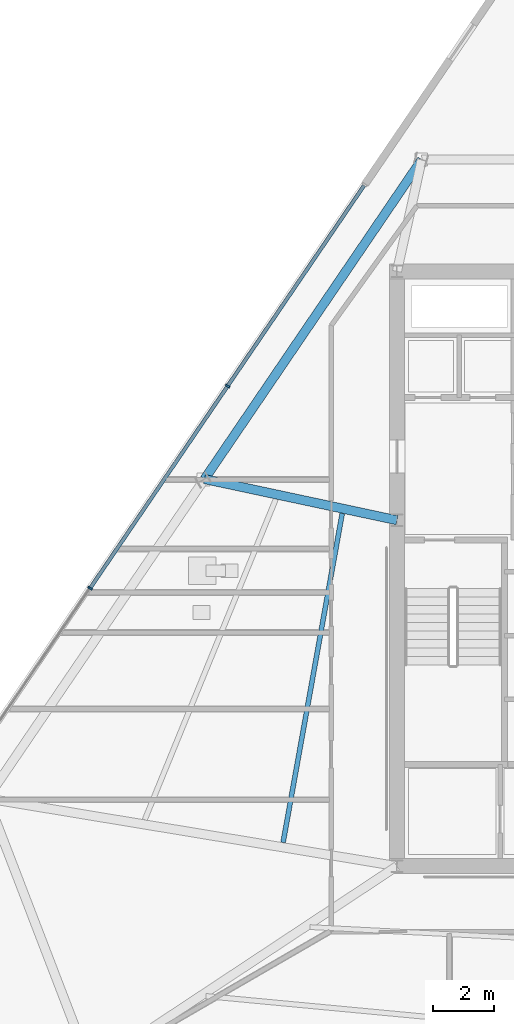
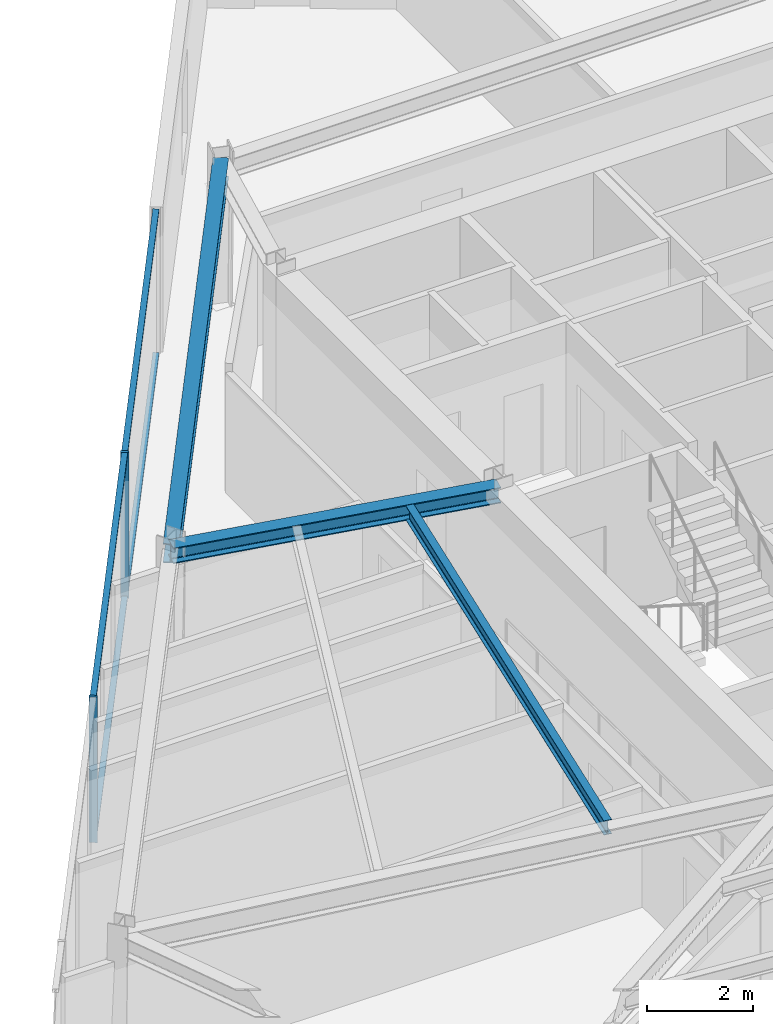
# One storey, part 4 of 16: 6 members, 3 beams, 1 element without a shape of its own.
"""IFC4 building model written with IfcOpenShell, lengths in metres."""

from ifc_helpers import new_model, si_unit, direction, frame, origin, origin_2d, place, context, subcontext, project, spatial, rectangle, i_section, extrude, material, material_profile, profile_set, type_object, element, aggregate, save


model = new_model("IFC4")

# Units and contexts
model_context = context("Model", 3, precision=1e-05, world=origin(), true_north=direction((0.0, 1.0)))
body_context = subcontext(model_context, "Body", "Model", "MODEL_VIEW")
ifc_project = project(units=[si_unit("LENGTHUNIT", "METRE"), si_unit("AREAUNIT", "SQUARE_METRE"), si_unit("VOLUMEUNIT", "CUBIC_METRE"), si_unit("PLANEANGLEUNIT", "RADIAN"), si_unit("MASSUNIT", "GRAM", prefix="KILO")], contexts=[model_context])

# Site, building, storey
site_placement = place(None, origin())
site = spatial("IfcSite", under=ifc_project, at=site_placement, CompositionType="ELEMENT")
building_placement = place(site_placement, origin())
building = spatial("IfcBuilding", under=site, at=building_placement, Name="Savorim Split Tower", CompositionType="ELEMENT")
storey_placement = place(building_placement, frame((0.0, 0.0, 153.0)))
storey = spatial("IfcBuildingStorey", under=building, at=storey_placement, Name="L40", CompositionType="ELEMENT", Elevation=153.0)

# Beams
ifc_material_1 = material(Name="Steel S355", Category="steel")
ifc_material_profile_1 = material_profile(ifc_material_1, i_section(OverallWidth=0.159912109375, OverallDepth=0.330078125, WebThickness=0.007568359375, FlangeThickness=0.011474609375, FilletRadius=0.01806640625, at=origin_2d()), Name="IPE 330")
ifc_profile_set_1 = profile_set([ifc_material_profile_1], Name="Steel S355")
beam_type_1 = type_object("IfcBeamType", Name="BM-JST-IPE330", PredefinedType="JOIST", material=ifc_profile_set_1)
beam_1_placement = place(storey_placement, frame((-9.50439453125, 2.22216796875, 3.18505859375), z_axis=(-0.176869999666, -0.984234221727, 0.0), x_axis=(0.984234221727, -0.176869999666, 0.0)))
element("IfcBeam", 1, at=beam_1_placement, inside=storey, type_object=beam_type_1, Name="L40 Secondary Floor Joist JS-11", PredefinedType="JOIST", context=body_context, shape_type="SweptSolid", body=[
    extrude(i_section(OverallWidth=0.159912109375, OverallDepth=0.330078125, WebThickness=0.007568359375, FlangeThickness=0.011474609375, FilletRadius=0.01806640625, at=origin_2d()), origin(), (0.0, 0.0, 1.0), 11.013671875),
])
ifc_material_profile_2 = material_profile(ifc_material_1, i_section(OverallWidth=0.300048828125, OverallDepth=0.360107421875, WebThickness=0.012451171875, FlangeThickness=0.0224609375, FilletRadius=0.027099609375, at=origin_2d()), Name="HEB 360")
ifc_profile_set_2 = profile_set([ifc_material_profile_2], Name="Steel S355")
beam_type_2 = type_object("IfcBeamType", Name="BM-PRI-HEB360", PredefinedType="BEAM", material=ifc_profile_set_2)
beam_2_placement = place(storey_placement, frame((-14.04296875, 3.35595703125, 3.169921875), z_axis=(0.977905298943, -0.209048382677, 0.0), x_axis=(0.209048382677, 0.977905298943, 0.0)))
element("IfcBeam", 2, at=beam_2_placement, inside=storey, type_object=beam_type_2, Name="L40 Primary Floor Girder RG-09", PredefinedType="BEAM", context=body_context, shape_type="SweptSolid", body=[
    extrude(i_section(OverallWidth=0.300048828125, OverallDepth=0.360107421875, WebThickness=0.012451171875, FlangeThickness=0.0224609375, FilletRadius=0.027099609375, at=origin_2d()), origin(), (0.0, 0.0, 1.0), 6.486328125),
])
ifc_material_profile_3 = material_profile(ifc_material_1, i_section(OverallWidth=0.300048828125, OverallDepth=0.43994140625, WebThickness=0.011474609375, FlangeThickness=0.02099609375, FilletRadius=0.027099609375, at=origin_2d()), Name="HEA 450")
ifc_profile_set_3 = profile_set([ifc_material_profile_3], Name="Steel S355")
beam_type_3 = type_object("IfcBeamType", Name="BM-SPN-HEA450", PredefinedType="SPANDREL", material=ifc_profile_set_3)
beam_3_placement = place(storey_placement, frame((-6.883056640625, 13.881103515625, 3.1298828125), z_axis=(-0.562461093474, -0.826823752881, 0.0), x_axis=(0.826823752881, -0.562461093474, 0.0)))
element("IfcBeam", 3, at=beam_3_placement, inside=storey, type_object=beam_type_3, Name="L40 Perimeter Spandrel Beam 8", PredefinedType="SPANDREL", context=body_context, shape_type="SweptSolid", body=[
    extrude(i_section(OverallWidth=0.300048828125, OverallDepth=0.43994140625, WebThickness=0.011474609375, FlangeThickness=0.02099609375, FilletRadius=0.027099609375, at=origin_2d()), origin(), (0.0, 0.0, 1.0), 12.7294921875),
])

# Curtain wall, members
ifc_material_2 = material(Name="Dark Ceramic-Fritted Insulated Glass", Category="glass")
curtain_wall_type = type_object("IfcCurtainWallType", Name="CW-TWR-FRIT-B", PredefinedType="NOTDEFINED", material=ifc_material_2)
curtain_wall_placement = place(storey_placement, origin())
curtain_wall = element("IfcCurtainWall", 4, at=curtain_wall_placement, inside=storey, type_object=curtain_wall_type, Name="L40 Curtain Wall CW-L40-WEST", PredefinedType="NOTDEFINED")
ifc_material_3 = material(Name="Charcoal Anodised Aluminium", Category="aluminium")
ifc_material_profile_4 = material_profile(ifc_material_3, rectangle(XDim=0.159912109375, YDim=0.06005859375, at=origin_2d()), Name="ALU-M 160x60")
ifc_profile_set_4 = profile_set([ifc_material_profile_4], Name="Charcoal Anodised Aluminium")
member_type_1 = type_object("IfcMemberType", Name="CWM-160x60", PredefinedType="MULLION", material=ifc_profile_set_4)
member_1_placement = place(storey_placement, frame((-13.281494140625, 6.42041015625, 0.0), z_axis=(0.0, 0.0, 1.0), x_axis=(0.826820104662, -0.562466456356, 0.0)))
member_1 = element("IfcMember", 5, at=member_1_placement, type_object=member_type_1, Name="CW-03 mullion 2", PredefinedType="MULLION", context=body_context, shape_type="SweptSolid", body=[
    extrude(rectangle(XDim=0.159912109375, YDim=0.06005859375, at=origin_2d()), origin(), (0.0, 0.0, 1.0), 3.35009765625),
])
member_2_placement = place(storey_placement, frame((-17.8125, -0.240234375, 0.0), z_axis=(0.0, 0.0, 1.0), x_axis=(0.826820104662, -0.562466456356, 0.0)))
member_2 = element("IfcMember", 6, at=member_2_placement, type_object=member_type_1, Name="CW-03 mullion 3", PredefinedType="MULLION", context=body_context, shape_type="SweptSolid", body=[
    extrude(rectangle(XDim=0.159912109375, YDim=0.06005859375, at=origin_2d()), origin(), (0.0, 0.0, 1.0), 3.35009765625),
])
ifc_material_profile_5 = material_profile(ifc_material_3, rectangle(XDim=0.1201171875, YDim=0.050048828125, at=origin_2d()), Name="ALU-T 120x50")
ifc_profile_set_5 = profile_set([ifc_material_profile_5], Name="Charcoal Anodised Aluminium")
member_type_2 = type_object("IfcMemberType", Name="CWT-120x50", PredefinedType="USERDEFINED", material=ifc_profile_set_5)
member_3_placement = place(storey_placement, frame((-8.7841796875, 13.03125, 0.02490234375), z_axis=(-0.562470130004, -0.826817605554, 0.0), x_axis=(0.826817605554, -0.562470130004, 0.0)))
member_3 = element("IfcMember", 7, at=member_3_placement, type_object=member_type_2, Name="CW-03 transom 1.1", ObjectType="TRANSOM", PredefinedType="USERDEFINED", context=body_context, shape_type="SweptSolid", body=[
    extrude(rectangle(XDim=0.1201171875, YDim=0.050048828125, at=origin_2d()), origin(), (0.0, 0.0, 1.0), 7.9658203125),
])
member_4_placement = place(storey_placement, frame((-8.7841796875, 13.03125, 3.324951171875), z_axis=(-0.562470130004, -0.826817605554, 0.0), x_axis=(0.826817605554, -0.562470130004, 0.0)))
member_4 = element("IfcMember", 8, at=member_4_placement, type_object=member_type_2, Name="CW-03 transom 1.2", ObjectType="TRANSOM", PredefinedType="USERDEFINED", context=body_context, shape_type="SweptSolid", body=[
    extrude(rectangle(XDim=0.1201171875, YDim=0.050048828125, at=origin_2d()), origin(), (0.0, 0.0, 1.0), 7.9658203125),
])
member_5_placement = place(storey_placement, frame((-13.29833984375, 6.3955078125, 0.02490234375), z_axis=(-0.562476212663, -0.82681346759, 0.0), x_axis=(0.82681346759, -0.562476212663, 0.0)))
member_5 = element("IfcMember", 9, at=member_5_placement, type_object=member_type_2, Name="CW-03 transom 2.1", ObjectType="TRANSOM", PredefinedType="USERDEFINED", context=body_context, shape_type="SweptSolid", body=[
    extrude(rectangle(XDim=0.1201171875, YDim=0.050048828125, at=origin_2d()), origin(), (0.0, 0.0, 1.0), 7.99560546875),
])
member_6_placement = place(storey_placement, frame((-13.29833984375, 6.3955078125, 3.324951171875), z_axis=(-0.562476212663, -0.82681346759, 0.0), x_axis=(0.82681346759, -0.562476212663, 0.0)))
member_6 = element("IfcMember", 10, at=member_6_placement, type_object=member_type_2, Name="CW-03 transom 2.2", ObjectType="TRANSOM", PredefinedType="USERDEFINED", context=body_context, shape_type="SweptSolid", body=[
    extrude(rectangle(XDim=0.1201171875, YDim=0.050048828125, at=origin_2d()), origin(), (0.0, 0.0, 1.0), 7.99560546875),
])
aggregate(curtain_wall, [member_1, member_2, member_3, member_4, member_5, member_6])

save(model, "model.ifc")
